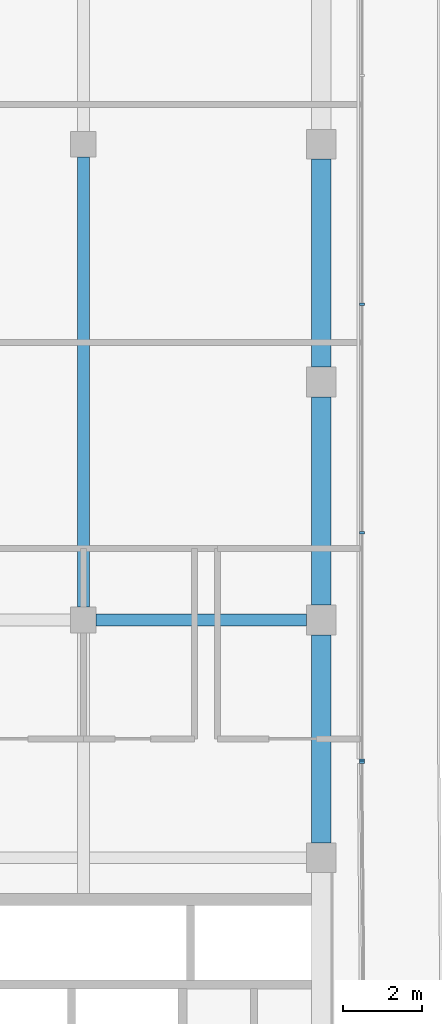
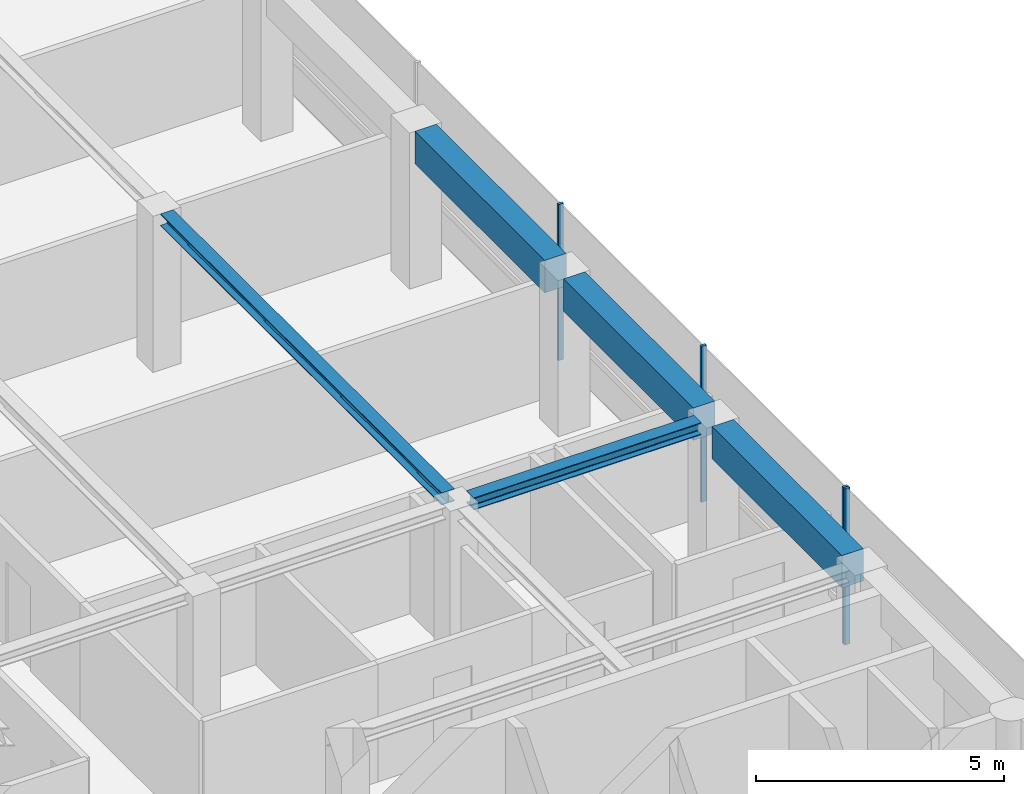
# One storey, part 7 of 18: 5 beams, 4 members, 2 elements without a shape of their own.
"""IFC4 building model written with IfcOpenShell, lengths in metres."""

from ifc_helpers import new_model, si_unit, direction, frame, origin, origin_2d, place, context, subcontext, project, spatial, rectangle, i_section, extrude, material, layer, layer_set, material_profile, profile_set, type_object, element, aggregate, save


model = new_model("IFC4")

# Units and contexts
model_context = context("Model", 3, precision=1e-05, world=origin(), true_north=direction((0.0, 1.0)))
body_context = subcontext(model_context, "Body", "Model", "MODEL_VIEW")
ifc_project = project(units=[si_unit("LENGTHUNIT", "METRE"), si_unit("AREAUNIT", "SQUARE_METRE"), si_unit("VOLUMEUNIT", "CUBIC_METRE"), si_unit("PLANEANGLEUNIT", "RADIAN"), si_unit("MASSUNIT", "GRAM", prefix="KILO")], contexts=[model_context])

# Site, building, storey
site_placement = place(None, origin())
site = spatial("IfcSite", under=ifc_project, at=site_placement, CompositionType="ELEMENT")
building_placement = place(site_placement, origin())
building = spatial("IfcBuilding", under=site, at=building_placement, Name="Welwitschia Terrace Campus", CompositionType="ELEMENT")
storey_placement = place(building_placement, frame((0.0, 0.0, 289.39990234375)))
storey = spatial("IfcBuildingStorey", under=building, at=storey_placement, Name="L64", CompositionType="ELEMENT", Elevation=289.39990234375)

# Beams
ifc_material_1 = material(Name="Steel S355", Category="steel")
ifc_material_profile_1 = material_profile(ifc_material_1, i_section(OverallWidth=0.300048828125, OverallDepth=0.300048828125, WebThickness=0.010986328125, FlangeThickness=0.01904296875, FilletRadius=0.027099609375, at=origin_2d()))
ifc_profile_set_1 = profile_set([ifc_material_profile_1], Name="Steel S355")
beam_type_1 = type_object("IfcBeamType", Name="Interior girder HE 300 B", PredefinedType="BEAM", material=ifc_profile_set_1)
beam_1_placement = place(storey_placement, frame((18.325439453125, 32.0, 3.7001953125), z_axis=(1.0, 0.0, 0.0), x_axis=(0.0, 1.0, 0.0)))
element("IfcBeam", 1, at=beam_1_placement, inside=storey, type_object=beam_type_1, Name="Girder GB6", PredefinedType="BEAM", context=body_context, shape_type="SweptSolid", body=[
    extrude(i_section(OverallWidth=0.300048828125, OverallDepth=0.300048828125, WebThickness=0.010986328125, FlangeThickness=0.01904296875, FilletRadius=0.027099609375, at=origin_2d()), origin(), (0.0, 0.0, 1.0), 5.30908203125),
])
beam_2_placement = place(storey_placement, frame((18.0, 32.325439453125, 3.7001953125), z_axis=(0.0, 1.0, 0.0), x_axis=(-1.0, 0.0, 0.0)))
element("IfcBeam", 2, at=beam_2_placement, inside=storey, type_object=beam_type_1, Name="Girder GB6", PredefinedType="BEAM", context=body_context, shape_type="SweptSolid", body=[
    extrude(i_section(OverallWidth=0.300048828125, OverallDepth=0.300048828125, WebThickness=0.010986328125, FlangeThickness=0.01904296875, FilletRadius=0.027099609375, at=origin_2d()), origin(), (0.0, 0.0, 1.0), 11.34912109375),
])

# Curtain wall, member
ifc_material_2 = material(Name="Bronze anodised aluminium", Category="aluminium")
ifc_layer = layer(ifc_material_2, 0.1201171875)
ifc_layer_set = layer_set([ifc_layer], Name="Bronze anodised aluminium")
curtain_wall_type = type_object("IfcCurtainWallType", Name="Curtain wall CW2 tower 6000", PredefinedType="NOTDEFINED", material=ifc_layer_set)
curtain_wall_1_placement = place(storey_placement, origin())
curtain_wall_1 = element("IfcCurtainWall", 3, at=curtain_wall_1_placement, inside=storey, type_object=curtain_wall_type, Name="CW L64.8.0", PredefinedType="NOTDEFINED")
ifc_material_3 = material(Name="Bronze anodised aluminium", Category="aluminium")
ifc_material_profile_2 = material_profile(ifc_material_3, rectangle(XDim=0.1201171875, YDim=0.06005859375, at=origin_2d()))
ifc_profile_set_2 = profile_set([ifc_material_profile_2], Name="Bronze anodised aluminium")
member_type = type_object("IfcMemberType", Name="Mullion 60x120", PredefinedType="MULLION", material=ifc_profile_set_2)
member_1_placement = place(storey_placement, frame((25.0302734375, 28.40625, 0.0), z_axis=(0.0, 0.0, 1.0), x_axis=(-0.999961923064, -0.008726535498, 0.0)))
member_1 = element("IfcMember", 4, at=member_1_placement, type_object=member_type, Name="Mullion L64.8.0.1", PredefinedType="MULLION", context=body_context, shape_type="SweptSolid", body=[
    extrude(rectangle(XDim=0.1201171875, YDim=0.06005859375, at=origin_2d()), origin(), (0.0, 0.0, 1.0), 3.85009765625),
])
aggregate(curtain_wall_1, [member_1])

# Curtain wall, members
curtain_wall_2_placement = place(storey_placement, origin())
curtain_wall_2 = element("IfcCurtainWall", 5, at=curtain_wall_2_placement, inside=storey, type_object=curtain_wall_type, Name="CW L64.9.0", PredefinedType="NOTDEFINED")
member_2_placement = place(storey_placement, frame((25.030029296875, 28.46630859375, 0.0), z_axis=(0.0, 0.0, 1.0), x_axis=(-1.0, 0.0, 0.0)))
member_2 = element("IfcMember", 6, at=member_2_placement, type_object=member_type, Name="Mullion L64.9.0.0", PredefinedType="MULLION", context=body_context, shape_type="SweptSolid", body=[
    extrude(rectangle(XDim=0.1201171875, YDim=0.06005859375, at=origin_2d()), origin(), (0.0, 0.0, 1.0), 3.85009765625),
])
member_3_placement = place(storey_placement, frame((25.030029296875, 34.201904296875, 0.0), z_axis=(0.0, 0.0, 1.0), x_axis=(-1.0, 0.0, 0.0)))
member_3 = element("IfcMember", 7, at=member_3_placement, type_object=member_type, Name="Mullion L64.9.0.1", PredefinedType="MULLION", context=body_context, shape_type="SweptSolid", body=[
    extrude(rectangle(XDim=0.1201171875, YDim=0.06005859375, at=origin_2d()), origin(), (0.0, 0.0, 1.0), 3.85009765625),
])
member_4_placement = place(storey_placement, frame((25.030029296875, 39.967529296875, 0.0), z_axis=(0.0, 0.0, 1.0), x_axis=(-1.0, 0.0, 0.0)))
member_4 = element("IfcMember", 8, at=member_4_placement, type_object=member_type, Name="Mullion L64.9.0.2", PredefinedType="MULLION", context=body_context, shape_type="SweptSolid", body=[
    extrude(rectangle(XDim=0.1201171875, YDim=0.06005859375, at=origin_2d()), origin(), (0.0, 0.0, 1.0), 3.85009765625),
])
aggregate(curtain_wall_2, [member_2, member_3, member_4])

# Beams
ifc_material_4 = material(Name="Concrete C50/60", Category="concrete")
ifc_material_profile_3 = material_profile(ifc_material_4, rectangle(XDim=0.5, YDim=0.800048828125, at=origin_2d()))
ifc_profile_set_3 = profile_set([ifc_material_profile_3], Name="Concrete C50/60")
beam_type_2 = type_object("IfcBeamType", Name="Ring spandrel 500x800", PredefinedType="SPANDREL", material=ifc_profile_set_3)
for number, where, z_axis, x_axis, name in (
    (9, (24.0, 26.37548828125, 3.4501953125), (0.0, 1.0, 0.0), (-1.0, 0.0, 0.0), "Spandrel SP4"),
    (10, (24.0, 32.37548828125, 3.4501953125), (0.0, 1.0, 0.0), (-1.0, 0.0, 0.0), "Spandrel SP4"),
    (11, (24.0, 38.37548828125, 3.4501953125), (0.0, 1.0, 0.0), (-1.0, 0.0, 0.0), "Spandrel SP4"),
):
    element("IfcBeam", number, at=place(storey_placement, frame(where, z_axis=z_axis, x_axis=x_axis)), inside=storey, type_object=beam_type_2, Name=name, PredefinedType="SPANDREL", context=body_context, shape_type="SweptSolid", body=[
        extrude(rectangle(XDim=0.5, YDim=0.800048828125, at=origin_2d()), origin(), (0.0, 0.0, 1.0), 5.2490234375),
    ])

save(model, "model.ifc")
